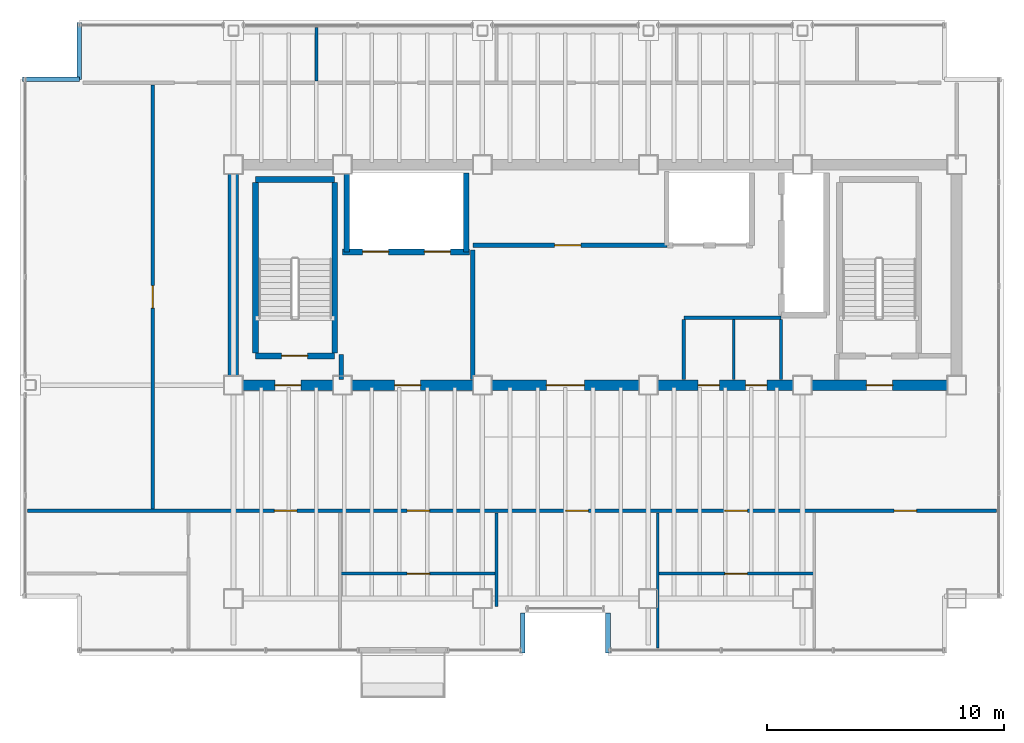
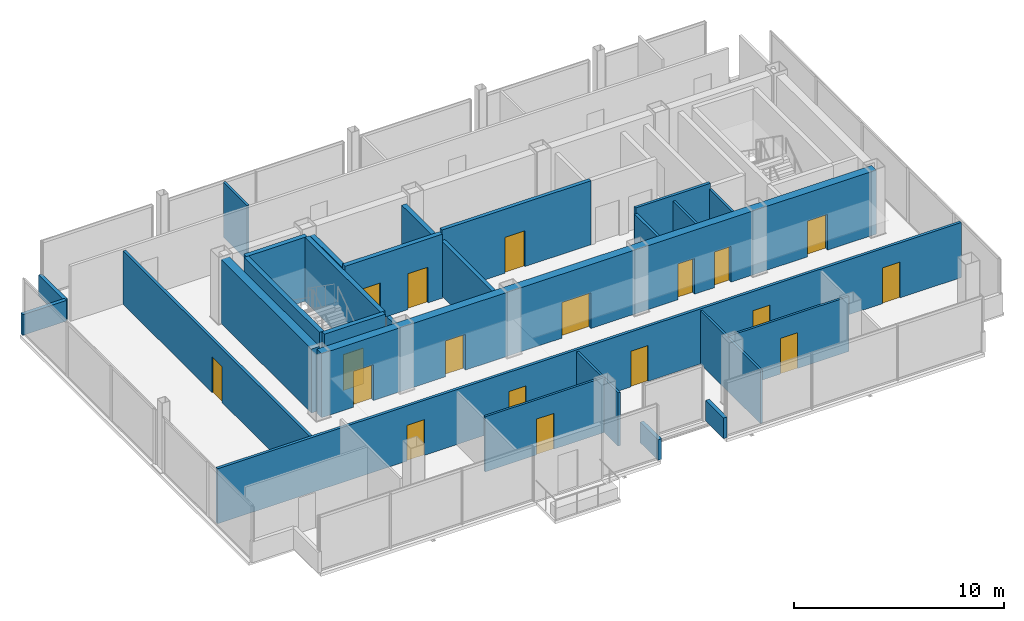
# One storey, part 14 of 16: 27 walls, 18 doors, 18 openings.
"""IFC4 building model written with IfcOpenShell, lengths in metres."""

from ifc_helpers import new_model, si_unit, direction, frame, frame_2d, origin, place, context, subcontext, project, spatial, rectangle, extrude, material, layer, layer_set, type_object, element, fill, save


model = new_model("IFC4")

# Units and contexts
model_context = context("Model", 3, precision=1e-05, world=origin(), true_north=direction((0.0, 1.0)))
body_context = subcontext(model_context, "Body", "Model", "MODEL_VIEW")
ifc_project = project(units=[si_unit("LENGTHUNIT", "METRE"), si_unit("AREAUNIT", "SQUARE_METRE"), si_unit("VOLUMEUNIT", "CUBIC_METRE"), si_unit("PLANEANGLEUNIT", "RADIAN"), si_unit("MASSUNIT", "GRAM", prefix="KILO")], contexts=[model_context])

# Site, building, storey
site_placement = place(None, origin())
site = spatial("IfcSite", under=ifc_project, at=site_placement, CompositionType="ELEMENT")
building_placement = place(site_placement, origin())
building = spatial("IfcBuilding", under=site, at=building_placement, Name="Noeulbin Bourse Tower", CompositionType="ELEMENT")
storey_placement = place(building_placement, frame((0.0, 0.0, 269.60009765625)))
storey = spatial("IfcBuildingStorey", under=building, at=storey_placement, Name="L67", CompositionType="ELEMENT", Elevation=269.60009765625)

# Wall, openings, doors
ifc_material_1 = material(Name="Concrete C50/60", Category="concrete")
ifc_layer_1 = layer(ifc_material_1, 0.449951171875)
ifc_layer_set_1 = layer_set([ifc_layer_1], Name="Concrete C50/60")
wall_type_1 = type_object("IfcWallType", Name="WAL-CORE-450", PredefinedType="SHEAR", material=ifc_layer_set_1)
wall_1_placement = place(storey_placement, frame((13.5, 29.0, 0.0), z_axis=(0.0, 0.0, 1.0), x_axis=(1.0, 0.0, 0.0)))
wall_1 = element("IfcWall", 1, at=wall_1_placement, inside=storey, type_object=wall_type_1, Name="Rear Core South Shear Wall L67", PredefinedType="SHEAR", context=body_context, shape_type="SweptSolid", body=[
    extrude(rectangle(XDim=30.5, YDim=0.449951171875, at=frame_2d((15.25, 0.0))), origin(), (0.0, 0.0, 1.0), 3.719970703125),
])
opening_1_placement = place(wall_1_placement, frame((1.75, 0.0, 0.0)))
opening_1 = element("IfcOpeningElement", 2, at=opening_1_placement, cuts=wall_1, Name="Opening FD-11", PredefinedType="OPENING", context=body_context, shape_type="SweptSolid", body=[
    extrude(rectangle(XDim=1.10009765625, YDim=2.080078125, at=frame_2d((0.550048828125, 1.0400390625))), frame((0.0, 0.23486328125, 0.0), z_axis=(0.0, -1.0, 0.0), x_axis=(1.0, 0.0, 0.0)), (0.0, 0.0, 1.0), 0.469970703125),
])
opening_2_placement = place(wall_1_placement, frame((26.699951171875, 0.0, 0.0)))
opening_2 = element("IfcOpeningElement", 3, at=opening_2_placement, cuts=wall_1, Name="Opening FD-11", PredefinedType="OPENING", context=body_context, shape_type="SweptSolid", body=[
    extrude(rectangle(XDim=1.10009765625, YDim=2.080078125, at=frame_2d((0.550048828125, 1.0400390625))), frame((0.0, 0.23486328125, 0.0), z_axis=(0.0, -1.0, 0.0), x_axis=(1.0, 0.0, 0.0)), (0.0, 0.0, 1.0), 0.469970703125),
])
opening_3_placement = place(wall_1_placement, frame((6.800048828125, 0.0, 0.0)))
opening_3 = element("IfcOpeningElement", 4, at=opening_3_placement, cuts=wall_1, Name="Opening FD-11", PredefinedType="OPENING", context=body_context, shape_type="SweptSolid", body=[
    extrude(rectangle(XDim=1.10009765625, YDim=2.080078125, at=frame_2d((0.550048828125, 1.0400390625))), frame((0.0, 0.23486328125, 0.0), z_axis=(0.0, -1.0, 0.0), x_axis=(1.0, 0.0, 0.0)), (0.0, 0.0, 1.0), 0.469970703125),
])
opening_4_placement = place(wall_1_placement, frame((13.199951171875, 0.0, 0.0)))
opening_4 = element("IfcOpeningElement", 5, at=opening_4_placement, cuts=wall_1, Name="Opening ID-16", PredefinedType="OPENING", context=body_context, shape_type="SweptSolid", body=[
    extrude(rectangle(XDim=1.60009765625, YDim=2.080078125, at=frame_2d((0.800048828125, 1.0400390625))), frame((0.0, 0.23486328125, 0.0), z_axis=(0.0, -1.0, 0.0), x_axis=(1.0, 0.0, 0.0)), (0.0, 0.0, 1.0), 0.469970703125),
])
opening_5_placement = place(wall_1_placement, frame((19.60009765625, 0.0, 0.0)))
opening_5 = element("IfcOpeningElement", 6, at=opening_5_placement, cuts=wall_1, Name="Opening FD-09", PredefinedType="OPENING", context=body_context, shape_type="SweptSolid", body=[
    extrude(rectangle(XDim=0.89990234375, YDim=2.080078125, at=frame_2d((0.449951171875, 1.0400390625))), frame((0.0, 0.23486328125, 0.0), z_axis=(0.0, -1.0, 0.0), x_axis=(1.0, 0.0, 0.0)), (0.0, 0.0, 1.0), 0.469970703125),
])
opening_6_placement = place(wall_1_placement, frame((21.60009765625, 0.0, 0.0)))
opening_6 = element("IfcOpeningElement", 7, at=opening_6_placement, cuts=wall_1, Name="Opening FD-09", PredefinedType="OPENING", context=body_context, shape_type="SweptSolid", body=[
    extrude(rectangle(XDim=0.89990234375, YDim=2.080078125, at=frame_2d((0.449951171875, 1.0400390625))), frame((0.0, 0.23486328125, 0.0), z_axis=(0.0, -1.0, 0.0), x_axis=(1.0, 0.0, 0.0)), (0.0, 0.0, 1.0), 0.469970703125),
])
ifc_material_2 = material(Name="Acoustic Glazed Aluminium", Category="aluminium")
door_type_1 = type_object("IfcDoorType", Name="DR-DBL-1600", OperationType="DOUBLE_DOOR_SINGLE_SWING", PredefinedType="DOOR", material=ifc_material_2)
door_1_placement = place(opening_4_placement, origin())
door_1 = element("IfcDoor", 8, at=door_1_placement, inside=storey, type_object=door_type_1, Name="Passenger Lift Lobby Portal L67", OperationType="DOUBLE_DOOR_SINGLE_SWING", OverallHeight=2.080078125, OverallWidth=1.60009765625, PredefinedType="DOOR", context=body_context, shape_type="SweptSolid", body=[
    extrude(rectangle(XDim=1.60009765625, YDim=2.080078125, at=frame_2d((0.800048828125, 1.0400390625))), frame((0.0, 0.02490234375, 0.0), z_axis=(0.0, -1.0, 0.0), x_axis=(1.0, 0.0, 0.0)), (0.0, 0.0, 1.0), 0.050048828125),
])
fill(opening_4, door_1)
ifc_material_3 = material(Name="Fire-Rated Timber Core", Category="wood")
door_type_2 = type_object("IfcDoorType", Name="DR-FD30-900", OperationType="SINGLE_SWING_RIGHT", PredefinedType="DOOR", material=ifc_material_3)
door_2_placement = place(opening_5_placement, origin())
door_2 = element("IfcDoor", 9, at=door_2_placement, inside=storey, type_object=door_type_2, Name="Interior Door L67-06", OperationType="SINGLE_SWING_RIGHT", OverallHeight=2.080078125, OverallWidth=0.89990234375, PredefinedType="DOOR", context=body_context, shape_type="SweptSolid", body=[
    extrude(rectangle(XDim=0.89990234375, YDim=2.080078125, at=frame_2d((0.449951171875, 1.0400390625))), frame((0.0, 0.02490234375, 0.0), z_axis=(0.0, -1.0, 0.0), x_axis=(1.0, 0.0, 0.0)), (0.0, 0.0, 1.0), 0.050048828125),
])
fill(opening_5, door_2)
door_3_placement = place(opening_6_placement, origin())
door_3 = element("IfcDoor", 10, at=door_3_placement, inside=storey, type_object=door_type_2, Name="Interior Door L67-07", OperationType="SINGLE_SWING_LEFT", OverallHeight=2.080078125, OverallWidth=0.89990234375, PredefinedType="DOOR", context=body_context, shape_type="SweptSolid", body=[
    extrude(rectangle(XDim=0.89990234375, YDim=2.080078125, at=frame_2d((0.449951171875, 1.0400390625))), frame((0.0, 0.02490234375, 0.0), z_axis=(0.0, -1.0, 0.0), x_axis=(1.0, 0.0, 0.0)), (0.0, 0.0, 1.0), 0.050048828125),
])
fill(opening_6, door_3)
ifc_material_4 = material(Name="Fire-Rated Insulated Steel", Category="steel")
door_type_3 = type_object("IfcDoorType", Name="DR-FD60-1100", OperationType="SINGLE_SWING_LEFT", PredefinedType="DOOR", material=ifc_material_4)
door_4_placement = place(opening_1_placement, origin())
door_4 = element("IfcDoor", 11, at=door_4_placement, inside=storey, type_object=door_type_3, Name="West Stair Lobby Door L67", OperationType="SINGLE_SWING_LEFT", OverallHeight=2.080078125, OverallWidth=1.10009765625, PredefinedType="DOOR", context=body_context, shape_type="SweptSolid", body=[
    extrude(rectangle(XDim=1.10009765625, YDim=2.080078125, at=frame_2d((0.550048828125, 1.0400390625))), frame((0.0, 0.02490234375, 0.0), z_axis=(0.0, -1.0, 0.0), x_axis=(1.0, 0.0, 0.0)), (0.0, 0.0, 1.0), 0.050048828125),
])
fill(opening_1, door_4)
door_5_placement = place(opening_2_placement, origin())
door_5 = element("IfcDoor", 12, at=door_5_placement, inside=storey, type_object=door_type_3, Name="East Stair Lobby Door L67", OperationType="SINGLE_SWING_RIGHT", OverallHeight=2.080078125, OverallWidth=1.10009765625, PredefinedType="DOOR", context=body_context, shape_type="SweptSolid", body=[
    extrude(rectangle(XDim=1.10009765625, YDim=2.080078125, at=frame_2d((0.550048828125, 1.0400390625))), frame((0.0, 0.02490234375, 0.0), z_axis=(0.0, -1.0, 0.0), x_axis=(1.0, 0.0, 0.0)), (0.0, 0.0, 1.0), 0.050048828125),
])
fill(opening_2, door_5)
door_6_placement = place(opening_3_placement, origin())
door_6 = element("IfcDoor", 13, at=door_6_placement, inside=storey, type_object=door_type_3, Name="Firefighting Lobby Door L67", OperationType="SINGLE_SWING_LEFT", OverallHeight=2.080078125, OverallWidth=1.10009765625, PredefinedType="DOOR", context=body_context, shape_type="SweptSolid", body=[
    extrude(rectangle(XDim=1.10009765625, YDim=2.080078125, at=frame_2d((0.550048828125, 1.0400390625))), frame((0.0, 0.02490234375, 0.0), z_axis=(0.0, -1.0, 0.0), x_axis=(1.0, 0.0, 0.0)), (0.0, 0.0, 1.0), 0.050048828125),
])
fill(opening_3, door_6)

# Wall
wall_2_placement = place(storey_placement, frame((13.5, 29.35009765625, 0.0), z_axis=(0.0, 0.0, 1.0), x_axis=(0.0, 1.0, 0.0)))
element("IfcWall", 14, at=wall_2_placement, inside=storey, type_object=wall_type_1, Name="Rear Core West Shear Wall L67", PredefinedType="SHEAR", context=body_context, shape_type="SweptSolid", body=[
    extrude(rectangle(XDim=8.599853515625, YDim=0.449951171875, at=frame_2d((4.2998046875, 0.0))), origin(), (0.0, 0.0, 1.0), 3.719970703125),
])

# Wall, opening, door
ifc_material_5 = material(Name="Concrete C40/50", Category="concrete")
ifc_layer_2 = layer(ifc_material_5, 0.199951171875)
ifc_layer_set_2 = layer_set([ifc_layer_2], Name="Concrete C40/50")
wall_type_2 = type_object("IfcWallType", Name="WAL-FIRE-200", PredefinedType="STANDARD", material=ifc_layer_set_2)
wall_3_placement = place(storey_placement, frame((23.60009765625, 34.89990234375, 0.0), z_axis=(0.0, 0.0, 1.0), x_axis=(1.0, 0.0, 0.0)))
wall_3 = element("IfcWall", 15, at=wall_3_placement, inside=storey, type_object=wall_type_2, Name="Interior Partition Wall L67-02", PredefinedType="STANDARD", context=body_context, shape_type="SweptSolid", body=[
    extrude(rectangle(XDim=8.179931640625, YDim=0.199951171875, at=frame_2d((4.08984375, 0.0))), origin(), (0.0, 0.0, 1.0), 3.719970703125),
])
opening_7_placement = place(wall_3_placement, frame((3.449951171875, 0.0, 0.0)))
opening_7 = element("IfcOpeningElement", 16, at=opening_7_placement, cuts=wall_3, Name="Opening FD-11", PredefinedType="OPENING", context=body_context, shape_type="SweptSolid", body=[
    extrude(rectangle(XDim=1.10009765625, YDim=2.080078125, at=frame_2d((0.550048828125, 1.0400390625))), frame((0.0, 0.10986328125, 0.0), z_axis=(0.0, -1.0, 0.0), x_axis=(1.0, 0.0, 0.0)), (0.0, 0.0, 1.0), 0.219970703125),
])
door_7_placement = place(opening_7_placement, origin())
door_7 = element("IfcDoor", 17, at=door_7_placement, inside=storey, type_object=door_type_3, Name="Telemetry Server Door L67", OperationType="SINGLE_SWING_LEFT", OverallHeight=2.080078125, OverallWidth=1.10009765625, PredefinedType="DOOR", context=body_context, shape_type="SweptSolid", body=[
    extrude(rectangle(XDim=1.10009765625, YDim=2.080078125, at=frame_2d((0.550048828125, 1.0400390625))), frame((0.0, 0.02490234375, 0.0), z_axis=(0.0, -1.0, 0.0), x_axis=(1.0, 0.0, 0.0)), (0.0, 0.0, 1.0), 0.050048828125),
])
fill(opening_7, door_7)

# Walls
wall_4_placement = place(storey_placement, frame((18.050048828125, 29.235107421875, 0.0), z_axis=(0.0, 0.0, 1.0), x_axis=(0.0, 1.0, 0.0)))
element("IfcWall", 18, at=wall_4_placement, inside=storey, type_object=wall_type_2, Name="Interior Partition Wall L67-09", PredefinedType="STANDARD", context=body_context, shape_type="SweptSolid", body=[
    extrude(rectangle(XDim=1.06494140625, YDim=0.199951171875, at=frame_2d((0.532470703125, 0.0))), origin(), (0.0, 0.0, 1.0), 3.39990234375),
])
wall_5_placement = place(storey_placement, frame((23.60009765625, 29.235107421875, 0.0), z_axis=(0.0, 0.0, 1.0), x_axis=(0.0, 1.0, 0.0)))
element("IfcWall", 19, at=wall_5_placement, inside=storey, type_object=wall_type_2, Name="Interior Partition Wall L67-11", PredefinedType="STANDARD", context=body_context, shape_type="SweptSolid", body=[
    extrude(rectangle(XDim=5.46484375, YDim=0.199951171875, at=frame_2d((2.732421875, 0.0))), origin(), (0.0, 0.0, 1.0), 3.199951171875),
])
ifc_layer_3 = layer(ifc_material_5, 0.199951171875)
ifc_layer_set_3 = layer_set([ifc_layer_3], Name="Concrete C40/50")
wall_type_3 = type_object("IfcWallType", Name="WAL-PAR-200", PredefinedType="PARAPET", material=ifc_layer_set_3)
wall_6_placement = place(storey_placement, frame((4.60009765625, 41.89990234375, 0.0), z_axis=(0.0, 0.0, 1.0), x_axis=(1.0, 0.0, 0.0)))
element("IfcWall", 20, at=wall_6_placement, inside=storey, type_object=wall_type_3, Name="Corner Notch Parapet L67-NW1", PredefinedType="PARAPET", context=body_context, shape_type="SweptSolid", body=[
    extrude(rectangle(XDim=2.39990234375, YDim=0.199951171875, at=frame_2d((1.199951171875, 0.0))), origin(), (0.0, 0.0, 1.0), 1.199951171875),
])
wall_7_placement = place(storey_placement, frame((7.0, 41.89990234375, 0.0), z_axis=(0.0, 0.0, 1.0), x_axis=(0.0, 1.0, 0.0)))
element("IfcWall", 21, at=wall_7_placement, inside=storey, type_object=wall_type_3, Name="Corner Notch Parapet L67-NW2", PredefinedType="PARAPET", context=body_context, shape_type="SweptSolid", body=[
    extrude(rectangle(XDim=2.400146484375, YDim=0.199951171875, at=frame_2d((1.2001953125, 0.0))), origin(), (0.0, 0.0, 1.0), 1.199951171875),
])
for number, where, z_axis, x_axis, name in (
    (22, (25.699951171875, 17.699951171875, 0.0), (0.0, 0.0, 1.0), (0.0, 1.0, 0.0), "Sky-Garden Recess Parapet L67-W"),
    (23, (29.300048828125, 19.39990234375, 0.0), (0.0, 0.0, 1.0), (0.0, -1.0, 0.0), "Sky-Garden Recess Parapet L67-E"),
):
    element("IfcWall", number, at=place(storey_placement, frame(where, z_axis=z_axis, x_axis=x_axis)), inside=storey, type_object=wall_type_3, Name=name, PredefinedType="PARAPET", context=body_context, shape_type="SweptSolid", body=[
        extrude(rectangle(XDim=1.699951171875, YDim=0.199951171875, at=frame_2d((0.85009765625, 0.0))), origin(), (0.0, 0.0, 1.0), 1.199951171875),
    ])

# Wall, opening, door
ifc_material_6 = material(Name="Steel Stud Gypsum Partition", Category="steel")
ifc_layer_4 = layer(ifc_material_6, 0.1201171875)
ifc_layer_set_4 = layer_set([ifc_layer_4], Name="Steel Stud Gypsum Partition")
wall_type_4 = type_object("IfcWallType", Name="WAL-PRT-120", PredefinedType="PARTITIONING", material=ifc_layer_set_4)
wall_8_placement = place(storey_placement, frame((18.0, 21.050048828125, 0.0), z_axis=(0.0, 0.0, 1.0), x_axis=(1.0, 0.0, 0.0)))
wall_8 = element("IfcWall", 24, at=wall_8_placement, inside=storey, type_object=wall_type_4, Name="Interior Partition Wall L67-06", PredefinedType="PARTITIONING", context=body_context, shape_type="SweptSolid", body=[
    extrude(rectangle(XDim=6.60009765625, YDim=0.1201171875, at=frame_2d((3.300048828125, 0.0))), origin(), (0.0, 0.0, 1.0), 3.199951171875),
])
opening_8_placement = place(wall_8_placement, frame((2.824951171875, 0.0, 0.0)))
opening_8 = element("IfcOpeningElement", 25, at=opening_8_placement, cuts=wall_8, Name="Opening ID-09", PredefinedType="OPENING", context=body_context, shape_type="SweptSolid", body=[
    extrude(rectangle(XDim=0.949951171875, YDim=2.080078125, at=frame_2d((0.47509765625, 1.0400390625))), frame((0.0, 0.070068359375, 0.0), z_axis=(0.0, -1.0, 0.0), x_axis=(1.0, 0.0, 0.0)), (0.0, 0.0, 1.0), 0.14013671875),
])
ifc_material_7 = material(Name="Acoustic Solid-Core Timber", Category="wood")
door_type_4 = type_object("IfcDoorType", Name="DR-SINGLE-950", OperationType="SINGLE_SWING_LEFT", PredefinedType="DOOR", material=ifc_material_7)
door_8_placement = place(opening_8_placement, origin())
door_8 = element("IfcDoor", 26, at=door_8_placement, inside=storey, type_object=door_type_4, Name="Interior Door L67-11", OperationType="SINGLE_SWING_LEFT", OverallHeight=2.080078125, OverallWidth=0.949951171875, PredefinedType="DOOR", context=body_context, shape_type="SweptSolid", body=[
    extrude(rectangle(XDim=0.949951171875, YDim=2.080078125, at=frame_2d((0.47509765625, 1.0400390625))), frame((0.0, 0.02490234375, 0.0), z_axis=(0.0, -1.0, 0.0), x_axis=(1.0, 0.0, 0.0)), (0.0, 0.0, 1.0), 0.050048828125),
])
fill(opening_8, door_8)

wall_9_placement = place(storey_placement, frame((31.39990234375, 21.050048828125, 0.0), z_axis=(0.0, 0.0, 1.0), x_axis=(1.0, 0.0, 0.0)))
wall_9 = element("IfcWall", 27, at=wall_9_placement, inside=storey, type_object=wall_type_4, Name="Interior Partition Wall L67-07", PredefinedType="PARTITIONING", context=body_context, shape_type="SweptSolid", body=[
    extrude(rectangle(XDim=6.60009765625, YDim=0.1201171875, at=frame_2d((3.300048828125, 0.0))), origin(), (0.0, 0.0, 1.0), 3.199951171875),
])
opening_9_placement = place(wall_9_placement, frame((2.824951171875, 0.0, 0.0)))
opening_9 = element("IfcOpeningElement", 28, at=opening_9_placement, cuts=wall_9, Name="Opening ID-09", PredefinedType="OPENING", context=body_context, shape_type="SweptSolid", body=[
    extrude(rectangle(XDim=0.949951171875, YDim=2.080078125, at=frame_2d((0.47509765625, 1.0400390625))), frame((0.0, 0.070068359375, 0.0), z_axis=(0.0, -1.0, 0.0), x_axis=(1.0, 0.0, 0.0)), (0.0, 0.0, 1.0), 0.14013671875),
])
door_9_placement = place(opening_9_placement, origin())
door_9 = element("IfcDoor", 29, at=door_9_placement, inside=storey, type_object=door_type_4, Name="Interior Door L67-14", OperationType="SINGLE_SWING_RIGHT", OverallHeight=2.080078125, OverallWidth=0.949951171875, PredefinedType="DOOR", context=body_context, shape_type="SweptSolid", body=[
    extrude(rectangle(XDim=0.949951171875, YDim=2.080078125, at=frame_2d((0.47509765625, 1.0400390625))), frame((0.0, 0.02490234375, 0.0), z_axis=(0.0, -1.0, 0.0), x_axis=(1.0, 0.0, 0.0)), (0.0, 0.0, 1.0), 0.050048828125),
])
fill(opening_9, door_9)

# Walls
for number, where, z_axis, x_axis, name in (
    (30, (36.60009765625, 29.235107421875, 0.0), (0.0, 0.0, 1.0), (0.0, 1.0, 0.0), "Interior Partition Wall L67-13"),
    (31, (34.60009765625, 29.235107421875, 0.0), (0.0, 0.0, 1.0), (0.0, 1.0, 0.0), "Interior Partition Wall L67-14"),
):
    element("IfcWall", number, at=place(storey_placement, frame(where, z_axis=z_axis, x_axis=x_axis)), inside=storey, type_object=wall_type_4, Name=name, PredefinedType="PARTITIONING", context=body_context, shape_type="SweptSolid", body=[
        extrude(rectangle(XDim=2.52978515625, YDim=0.1201171875, at=frame_2d((1.264892578125, 0.0))), origin(), (0.0, 0.0, 1.0), 3.39990234375),
    ])
wall_10_placement = place(storey_placement, frame((24.60009765625, 19.669921875, 0.0), z_axis=(0.0, 0.0, 1.0), x_axis=(0.0, 1.0, 0.0)))
element("IfcWall", 32, at=wall_10_placement, inside=storey, type_object=wall_type_4, Name="Interior Partition Wall L67-18", PredefinedType="PARTITIONING", context=body_context, shape_type="SweptSolid", body=[
    extrude(rectangle(XDim=3.945068359375, YDim=0.1201171875, at=frame_2d((1.97265625, 0.0))), origin(), (0.0, 0.0, 1.0), 3.099853515625),
])
wall_11_placement = place(storey_placement, frame((31.39990234375, 17.909912109375, 0.0), z_axis=(0.0, 0.0, 1.0), x_axis=(0.0, 1.0, 0.0)))
element("IfcWall", 33, at=wall_11_placement, inside=storey, type_object=wall_type_4, Name="Interior Partition Wall L67-19", PredefinedType="PARTITIONING", context=body_context, shape_type="SweptSolid", body=[
    extrude(rectangle(XDim=5.705078125, YDim=0.1201171875, at=frame_2d((2.8525390625, 0.0))), origin(), (0.0, 0.0, 1.0), 3.099853515625),
])
wall_12_placement = place(storey_placement, frame((17.0, 41.8349609375, 0.0), z_axis=(0.0, 0.0, 1.0), x_axis=(0.0, 1.0, 0.0)))
element("IfcWall", 34, at=wall_12_placement, inside=storey, type_object=wall_type_4, Name="Interior Partition Wall L67-22", PredefinedType="PARTITIONING", context=body_context, shape_type="SweptSolid", body=[
    extrude(rectangle(XDim=2.255126953125, YDim=0.1201171875, at=frame_2d((1.12744140625, 0.0))), origin(), (0.0, 0.0, 1.0), 3.2119140625),
])
ifc_material_8 = material(Name="Steel Stud Acoustic Gypsum Board", Category="steel")
ifc_layer_5 = layer(ifc_material_8, 0.14990234375)
ifc_layer_set_5 = layer_set([ifc_layer_5], Name="Steel Stud Acoustic Gypsum Board")
wall_type_5 = type_object("IfcWallType", Name="WAL-PRT-150", PredefinedType="PARTITIONING", material=ifc_layer_set_5)
wall_13_placement = place(storey_placement, frame((32.5, 31.85009765625, 0.0), z_axis=(0.0, 0.0, 1.0), x_axis=(1.0, 0.0, 0.0)))
element("IfcWall", 35, at=wall_13_placement, inside=storey, type_object=wall_type_5, Name="Interior Partition Wall L67-03", PredefinedType="PARTITIONING", context=body_context, shape_type="SweptSolid", body=[
    extrude(rectangle(XDim=4.10009765625, YDim=0.14990234375, at=frame_2d((2.050048828125, 0.0))), origin(), (0.0, 0.0, 1.0), 3.719970703125),
])

# Wall, openings, doors
wall_14_placement = place(storey_placement, frame((4.81005859375, 23.699951171875, 0.0), z_axis=(0.0, 0.0, 1.0), x_axis=(1.0, 0.0, 0.0)))
wall_14 = element("IfcWall", 36, at=wall_14_placement, inside=storey, type_object=wall_type_5, Name="Interior Partition Wall L67-04", PredefinedType="PARTITIONING", context=body_context, shape_type="SweptSolid", body=[
    extrude(rectangle(XDim=40.8798828125, YDim=0.14990234375, at=frame_2d((20.43994140625, 0.0))), origin(), (0.0, 0.0, 1.0), 3.199951171875),
])
opening_10_placement = place(wall_14_placement, frame((10.4150390625, 0.0, 0.0)))
opening_10 = element("IfcOpeningElement", 37, at=opening_10_placement, cuts=wall_14, Name="Opening ID-09", PredefinedType="OPENING", context=body_context, shape_type="SweptSolid", body=[
    extrude(rectangle(XDim=0.949951171875, YDim=2.080078125, at=frame_2d((0.47509765625, 1.0400390625))), frame((0.0, 0.0849609375, 0.0), z_axis=(0.0, -1.0, 0.0), x_axis=(1.0, 0.0, 0.0)), (0.0, 0.0, 1.0), 0.169921875),
])
opening_11_placement = place(wall_14_placement, frame((16.014892578125, 0.0, 0.0)))
opening_11 = element("IfcOpeningElement", 38, at=opening_11_placement, cuts=wall_14, Name="Opening ID-09", PredefinedType="OPENING", context=body_context, shape_type="SweptSolid", body=[
    extrude(rectangle(XDim=0.949951171875, YDim=2.080078125, at=frame_2d((0.47509765625, 1.0400390625))), frame((0.0, 0.0849609375, 0.0), z_axis=(0.0, -1.0, 0.0), x_axis=(1.0, 0.0, 0.0)), (0.0, 0.0, 1.0), 0.169921875),
])
opening_12_placement = place(wall_14_placement, frame((22.715087890625, 0.0, 0.0)))
opening_12 = element("IfcOpeningElement", 39, at=opening_12_placement, cuts=wall_14, Name="Opening ID-09", PredefinedType="OPENING", context=body_context, shape_type="SweptSolid", body=[
    extrude(rectangle(XDim=0.949951171875, YDim=2.080078125, at=frame_2d((0.47509765625, 1.0400390625))), frame((0.0, 0.0849609375, 0.0), z_axis=(0.0, -1.0, 0.0), x_axis=(1.0, 0.0, 0.0)), (0.0, 0.0, 1.0), 0.169921875),
])
opening_13_placement = place(wall_14_placement, frame((29.4150390625, 0.0, 0.0)))
opening_13 = element("IfcOpeningElement", 40, at=opening_13_placement, cuts=wall_14, Name="Opening ID-09", PredefinedType="OPENING", context=body_context, shape_type="SweptSolid", body=[
    extrude(rectangle(XDim=0.949951171875, YDim=2.080078125, at=frame_2d((0.47509765625, 1.0400390625))), frame((0.0, 0.0849609375, 0.0), z_axis=(0.0, -1.0, 0.0), x_axis=(1.0, 0.0, 0.0)), (0.0, 0.0, 1.0), 0.169921875),
])
opening_14_placement = place(wall_14_placement, frame((36.56005859375, 0.0, 0.0)))
opening_14 = element("IfcOpeningElement", 41, at=opening_14_placement, cuts=wall_14, Name="Opening ID-09", PredefinedType="OPENING", context=body_context, shape_type="SweptSolid", body=[
    extrude(rectangle(XDim=0.949951171875, YDim=2.080078125, at=frame_2d((0.47509765625, 1.0400390625))), frame((0.0, 0.0849609375, 0.0), z_axis=(0.0, -1.0, 0.0), x_axis=(1.0, 0.0, 0.0)), (0.0, 0.0, 1.0), 0.169921875),
])
door_10_placement = place(opening_10_placement, origin())
door_10 = element("IfcDoor", 42, at=door_10_placement, inside=storey, type_object=door_type_4, Name="Interior Door L67-10", OperationType="SINGLE_SWING_RIGHT", OverallHeight=2.080078125, OverallWidth=0.949951171875, PredefinedType="DOOR", context=body_context, shape_type="SweptSolid", body=[
    extrude(rectangle(XDim=0.949951171875, YDim=2.080078125, at=frame_2d((0.47509765625, 1.0400390625))), frame((0.0, 0.02490234375, 0.0), z_axis=(0.0, -1.0, 0.0), x_axis=(1.0, 0.0, 0.0)), (0.0, 0.0, 1.0), 0.050048828125),
])
fill(opening_10, door_10)
door_11_placement = place(opening_11_placement, origin())
door_11 = element("IfcDoor", 43, at=door_11_placement, inside=storey, type_object=door_type_4, Name="Interior Door L67-12", OperationType="SINGLE_SWING_RIGHT", OverallHeight=2.080078125, OverallWidth=0.949951171875, PredefinedType="DOOR", context=body_context, shape_type="SweptSolid", body=[
    extrude(rectangle(XDim=0.949951171875, YDim=2.080078125, at=frame_2d((0.47509765625, 1.0400390625))), frame((0.0, 0.02490234375, 0.0), z_axis=(0.0, -1.0, 0.0), x_axis=(1.0, 0.0, 0.0)), (0.0, 0.0, 1.0), 0.050048828125),
])
fill(opening_11, door_11)
door_12_placement = place(opening_12_placement, origin())
door_12 = element("IfcDoor", 44, at=door_12_placement, inside=storey, type_object=door_type_4, Name="Interior Door L67-13", OperationType="SINGLE_SWING_LEFT", OverallHeight=2.080078125, OverallWidth=0.949951171875, PredefinedType="DOOR", context=body_context, shape_type="SweptSolid", body=[
    extrude(rectangle(XDim=0.949951171875, YDim=2.080078125, at=frame_2d((0.47509765625, 1.0400390625))), frame((0.0, 0.02490234375, 0.0), z_axis=(0.0, -1.0, 0.0), x_axis=(1.0, 0.0, 0.0)), (0.0, 0.0, 1.0), 0.050048828125),
])
fill(opening_12, door_12)
door_13_placement = place(opening_13_placement, origin())
door_13 = element("IfcDoor", 45, at=door_13_placement, inside=storey, type_object=door_type_4, Name="Interior Door L67-15", OperationType="SINGLE_SWING_LEFT", OverallHeight=2.080078125, OverallWidth=0.949951171875, PredefinedType="DOOR", context=body_context, shape_type="SweptSolid", body=[
    extrude(rectangle(XDim=0.949951171875, YDim=2.080078125, at=frame_2d((0.47509765625, 1.0400390625))), frame((0.0, 0.02490234375, 0.0), z_axis=(0.0, -1.0, 0.0), x_axis=(1.0, 0.0, 0.0)), (0.0, 0.0, 1.0), 0.050048828125),
])
fill(opening_13, door_13)
door_14_placement = place(opening_14_placement, origin())
door_14 = element("IfcDoor", 46, at=door_14_placement, inside=storey, type_object=door_type_4, Name="Interior Door L67-16", OperationType="SINGLE_SWING_RIGHT", OverallHeight=2.080078125, OverallWidth=0.949951171875, PredefinedType="DOOR", context=body_context, shape_type="SweptSolid", body=[
    extrude(rectangle(XDim=0.949951171875, YDim=2.080078125, at=frame_2d((0.47509765625, 1.0400390625))), frame((0.0, 0.02490234375, 0.0), z_axis=(0.0, -1.0, 0.0), x_axis=(1.0, 0.0, 0.0)), (0.0, 0.0, 1.0), 0.050048828125),
])
fill(opening_14, door_14)

# Wall
wall_15_placement = place(storey_placement, frame((32.5, 29.235107421875, 0.0), z_axis=(0.0, 0.0, 1.0), x_axis=(0.0, 1.0, 0.0)))
element("IfcWall", 47, at=wall_15_placement, inside=storey, type_object=wall_type_5, Name="Interior Partition Wall L67-12", PredefinedType="PARTITIONING", context=body_context, shape_type="SweptSolid", body=[
    extrude(rectangle(XDim=2.52978515625, YDim=0.14990234375, at=frame_2d((1.264892578125, 0.0))), origin(), (0.0, 0.0, 1.0), 3.39990234375),
])

# Wall, opening, door
wall_16_placement = place(storey_placement, frame((10.10009765625, 23.784912109375, 0.0), z_axis=(0.0, 0.0, 1.0), x_axis=(0.0, 1.0, 0.0)))
wall_16 = element("IfcWall", 48, at=wall_16_placement, inside=storey, type_object=wall_type_5, Name="Interior Partition Wall L67-15", PredefinedType="PARTITIONING", context=body_context, shape_type="SweptSolid", body=[
    extrude(rectangle(XDim=17.880126953125, YDim=0.14990234375, at=frame_2d((8.93994140625, 0.0))), origin(), (0.0, 0.0, 1.0), 3.099853515625),
])
opening_15_placement = place(wall_16_placement, frame((8.465087890625, 0.0, 0.0)))
opening_15 = element("IfcOpeningElement", 49, at=opening_15_placement, cuts=wall_16, Name="Opening ID-09", PredefinedType="OPENING", context=body_context, shape_type="SweptSolid", body=[
    extrude(rectangle(XDim=0.949951171875, YDim=2.080078125, at=frame_2d((0.47509765625, 1.0400390625))), frame((0.0, 0.0849609375, 0.0), z_axis=(0.0, -1.0, 0.0), x_axis=(1.0, 0.0, 0.0)), (0.0, 0.0, 1.0), 0.169921875),
])
door_15_placement = place(opening_15_placement, origin())
door_15 = element("IfcDoor", 50, at=door_15_placement, inside=storey, type_object=door_type_4, Name="Interior Door L67-17", OperationType="SINGLE_SWING_LEFT", OverallHeight=2.080078125, OverallWidth=0.949951171875, PredefinedType="DOOR", context=body_context, shape_type="SweptSolid", body=[
    extrude(rectangle(XDim=0.949951171875, YDim=2.080078125, at=frame_2d((0.47509765625, 1.0400390625))), frame((0.0, 0.02490234375, 0.0), z_axis=(0.0, -1.0, 0.0), x_axis=(1.0, 0.0, 0.0)), (0.0, 0.0, 1.0), 0.050048828125),
])
fill(opening_15, door_15)

ifc_layer_6 = layer(ifc_material_5, 0.25)
ifc_layer_set_6 = layer_set([ifc_layer_6], Name="Concrete C40/50")
wall_type_6 = type_object("IfcWallType", Name="WAL-SHFT-250", PredefinedType="STANDARD", material=ifc_layer_set_6)
wall_17_placement = place(storey_placement, frame((14.429931640625, 30.235107421875, 0.0), z_axis=(0.0, 0.0, 1.0), x_axis=(1.0, 0.0, 0.0)))
wall_17 = element("IfcWall", 51, at=wall_17_placement, inside=storey, type_object=wall_type_6, Name="Stair ST-1 South Shaft Wall L67", PredefinedType="STANDARD", context=body_context, shape_type="SweptSolid", body=[
    extrude(rectangle(XDim=3.340087890625, YDim=0.25, at=frame_2d((1.669921875, 0.0))), origin(), (0.0, 0.0, 1.0), 3.719970703125),
])
opening_16_placement = place(wall_17_placement, frame((1.10009765625, 0.0, 0.0)))
opening_16 = element("IfcOpeningElement", 52, at=opening_16_placement, cuts=wall_17, Name="Opening FD-11", PredefinedType="OPENING", context=body_context, shape_type="SweptSolid", body=[
    extrude(rectangle(XDim=1.10009765625, YDim=2.080078125, at=frame_2d((0.550048828125, 1.0400390625))), frame((0.0, 0.135009765625, 0.0), z_axis=(0.0, -1.0, 0.0), x_axis=(1.0, 0.0, 0.0)), (0.0, 0.0, 1.0), 0.27001953125),
])
door_16_placement = place(opening_16_placement, origin())
door_16 = element("IfcDoor", 53, at=door_16_placement, inside=storey, type_object=door_type_3, Name="Protected Stair Entry Door ST1-L67", OperationType="SINGLE_SWING_LEFT", OverallHeight=2.080078125, OverallWidth=1.10009765625, PredefinedType="DOOR", context=body_context, shape_type="SweptSolid", body=[
    extrude(rectangle(XDim=1.10009765625, YDim=2.080078125, at=frame_2d((0.550048828125, 1.0400390625))), frame((0.0, 0.02490234375, 0.0), z_axis=(0.0, -1.0, 0.0), x_axis=(1.0, 0.0, 0.0)), (0.0, 0.0, 1.0), 0.050048828125),
])
fill(opening_16, door_16)

# Walls
wall_18_placement = place(storey_placement, frame((14.429931640625, 37.6689453125, 0.0), z_axis=(0.0, 0.0, 1.0), x_axis=(1.0, 0.0, 0.0)))
element("IfcWall", 54, at=wall_18_placement, inside=storey, type_object=wall_type_6, Name="Stair ST-1 North Shaft Wall L67", PredefinedType="STANDARD", context=body_context, shape_type="SweptSolid", body=[
    extrude(rectangle(XDim=3.340087890625, YDim=0.25, at=frame_2d((1.669921875, 0.0))), origin(), (0.0, 0.0, 1.0), 3.719970703125),
])
for number, where, z_axis, x_axis, name in (
    (55, (14.425048828125, 30.360107421875, 0.0), (0.0, 0.0, 1.0), (0.0, 1.0, 0.0), "Stair ST-1 West Shaft Wall L67"),
    (56, (17.77490234375, 30.360107421875, 0.0), (0.0, 0.0, 1.0), (0.0, 1.0, 0.0), "Stair ST-1 East Shaft Wall L67"),
):
    element("IfcWall", number, at=place(storey_placement, frame(where, z_axis=z_axis, x_axis=x_axis)), inside=storey, type_object=wall_type_6, Name=name, PredefinedType="STANDARD", context=body_context, shape_type="SweptSolid", body=[
        extrude(rectangle(XDim=7.183837890625, YDim=0.25, at=frame_2d((3.591796875, 0.0))), origin(), (0.0, 0.0, 1.0), 3.719970703125),
    ])

# Wall, openings, doors
wall_19_placement = place(storey_placement, frame((18.10009765625, 34.6201171875, 0.0), z_axis=(0.0, 0.0, 1.0), x_axis=(1.0, 0.0, 0.0)))
wall_19 = element("IfcWall", 57, at=wall_19_placement, inside=storey, type_object=wall_type_6, Name="Firefighting Lift Shaft Front L67", PredefinedType="STANDARD", context=body_context, shape_type="SweptSolid", body=[
    extrude(rectangle(XDim=5.349853515625, YDim=0.25, at=frame_2d((2.6748046875, 0.0))), origin(), (0.0, 0.0, 1.0), 3.719970703125),
])
opening_17_placement = place(wall_19_placement, frame((0.85009765625, 0.0, 0.0)))
opening_17 = element("IfcOpeningElement", 58, at=opening_17_placement, cuts=wall_19, Name="Opening LD-11", PredefinedType="OPENING", context=body_context, shape_type="SweptSolid", body=[
    extrude(rectangle(XDim=1.10009765625, YDim=2.080078125, at=frame_2d((0.550048828125, 1.0400390625))), frame((0.0, 0.135009765625, 0.0), z_axis=(0.0, -1.0, 0.0), x_axis=(1.0, 0.0, 0.0)), (0.0, 0.0, 1.0), 0.27001953125),
])
opening_18_placement = place(wall_19_placement, frame((3.449951171875, 0.0, 0.0)))
opening_18 = element("IfcOpeningElement", 59, at=opening_18_placement, cuts=wall_19, Name="Opening LD-11", PredefinedType="OPENING", context=body_context, shape_type="SweptSolid", body=[
    extrude(rectangle(XDim=1.10009765625, YDim=2.080078125, at=frame_2d((0.550048828125, 1.0400390625))), frame((0.0, 0.135009765625, 0.0), z_axis=(0.0, -1.0, 0.0), x_axis=(1.0, 0.0, 0.0)), (0.0, 0.0, 1.0), 0.27001953125),
])
ifc_material_9 = material(Name="Brushed Stainless Steel 316", Category="steel")
door_type_5 = type_object("IfcDoorType", Name="DR-LIFT-1100", OperationType="SLIDING_TO_LEFT", PredefinedType="DOOR", material=ifc_material_9)
door_17_placement = place(opening_17_placement, origin())
door_17 = element("IfcDoor", 60, at=door_17_placement, inside=storey, type_object=door_type_5, Name="Lift Landing Door LD-FL-01-L67", OperationType="SLIDING_TO_LEFT", OverallHeight=2.080078125, OverallWidth=1.10009765625, PredefinedType="DOOR", context=body_context, shape_type="SweptSolid", body=[
    extrude(rectangle(XDim=1.10009765625, YDim=2.080078125, at=frame_2d((0.550048828125, 1.0400390625))), frame((0.0, 0.02490234375, 0.0), z_axis=(0.0, -1.0, 0.0), x_axis=(1.0, 0.0, 0.0)), (0.0, 0.0, 1.0), 0.050048828125),
])
fill(opening_17, door_17)
door_18_placement = place(opening_18_placement, origin())
door_18 = element("IfcDoor", 61, at=door_18_placement, inside=storey, type_object=door_type_5, Name="Lift Landing Door LD-FL-02-L67", OperationType="SLIDING_TO_LEFT", OverallHeight=2.080078125, OverallWidth=1.10009765625, PredefinedType="DOOR", context=body_context, shape_type="SweptSolid", body=[
    extrude(rectangle(XDim=1.10009765625, YDim=2.080078125, at=frame_2d((0.550048828125, 1.0400390625))), frame((0.0, 0.02490234375, 0.0), z_axis=(0.0, -1.0, 0.0), x_axis=(1.0, 0.0, 0.0)), (0.0, 0.0, 1.0), 0.050048828125),
])
fill(opening_18, door_18)

# Walls
for number, where, z_axis, x_axis, name in (
    (62, (18.280029296875, 34.6201171875, 0.0), (0.0, 0.0, 1.0), (0.0, 1.0, 0.0), "Firefighting Lift West Shaft Wall L67"),
    (63, (23.320068359375, 34.6201171875, 0.0), (0.0, 0.0, 1.0), (0.0, 1.0, 0.0), "Firefighting Lift East Shaft Wall L67"),
):
    element("IfcWall", number, at=place(storey_placement, frame(where, z_axis=z_axis, x_axis=x_axis)), inside=storey, type_object=wall_type_6, Name=name, PredefinedType="STANDARD", context=body_context, shape_type="SweptSolid", body=[
        extrude(rectangle(XDim=3.329833984375, YDim=0.25, at=frame_2d((1.6650390625, 0.0))), origin(), (0.0, 0.0, 1.0), 3.39990234375),
    ])

save(model, "model.ifc")
